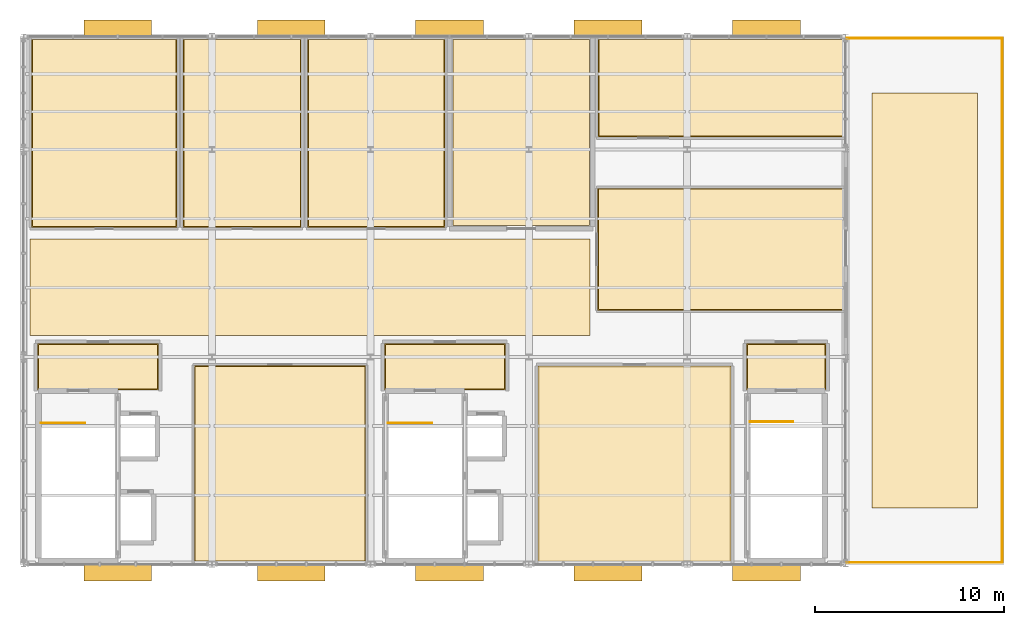
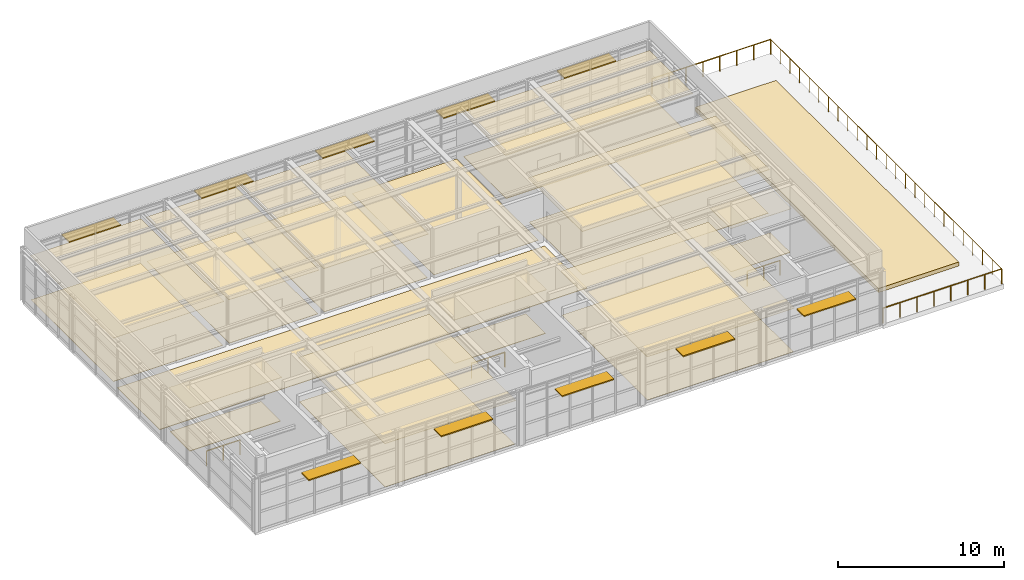
# One storey, part 18 of 18: 23 coverings, 10 shading devices, 6 railings.
"""IFC4 building model written with IfcOpenShell, lengths in metres."""

import ifcopenshell
import ifcopenshell.guid

model = None  # the IFC model being written
_history = None  # IfcOwnerHistory: only IFC2X3 demands one
_inside = {}  # id of a spatial element -> (the spatial element, [elements in it])
_under = {}  # id of a project, library or spatial element -> (it, [spatial elements below it])
_declared = {}  # id of a project -> (the project, [libraries it declares])
_typed = {}  # id of a type object -> (the type object, [elements of that type])
_made_of = {}  # id of a material, layer set ... -> (it, [elements and type objects made of it])


def new_model(schema):
    """Start an empty IFC model of exactly this schema.

    Asked for "IFC4X3", IfcOpenShell would pick the latest addendum, in which some entities
    have other attributes; the version numbers below select the first issue.
    IFC2X3 requires an IfcOwnerHistory on every rooted entity: one is made here for all.
    """
    global model, _history
    if schema == "IFC4X3":
        model = ifcopenshell.file(schema_version=(4, 3, 0, 0))
    else:
        model = ifcopenshell.file(schema=schema)
    _inside.clear()
    _under.clear()
    _declared.clear()
    _typed.clear()
    _made_of.clear()
    _history = None
    if model.schema == "IFC2X3":
        org = make("IfcOrganization", Name="unknown")
        user = make(
            "IfcPersonAndOrganization",
            ThePerson=make("IfcPerson", FamilyName="unknown"),
            TheOrganization=org,
        )
        app = make(
            "IfcApplication",
            ApplicationDeveloper=org,
            Version="unknown",
            ApplicationFullName="unknown",
            ApplicationIdentifier="unknown",
        )
        _history = make(
            "IfcOwnerHistory",
            OwningUser=user,
            OwningApplication=app,
            ChangeAction="ADDED",
            CreationDate=0,
        )
    return model


def make(cls, **values):
    """One entity of the class cls with the attributes given. An attribute that is None is left unset."""
    return model.create_entity(
        cls, **{name: value for name, value in values.items() if value is not None}
    )


def rooted(cls, **values):
    """An entity with a GlobalId (a new one), such as an element, a storey or a relation."""
    return make(cls, GlobalId=ifcopenshell.guid.new(), OwnerHistory=_history, **values)


def si_unit(unit_type, name, prefix=None):
    """IfcSIUnit, for example si_unit("LENGTHUNIT", "METRE", prefix="MILLI")."""
    return make("IfcSIUnit", UnitType=unit_type, Prefix=prefix, Name=name)


def assignment(units):
    """IfcUnitAssignment: the units of a project."""
    return None if units is None else make("IfcUnitAssignment", Units=units)


def point(xyz):
    """IfcCartesianPoint."""
    return None if xyz is None else make("IfcCartesianPoint", Coordinates=xyz)


def direction(xyz):
    """IfcDirection."""
    return None if xyz is None else make("IfcDirection", DirectionRatios=xyz)


def frame(location, z_axis=None, x_axis=None):
    """IfcAxis2Placement3D, a coordinate frame: its origin and axes. An axis left out is left unset."""
    return make(
        "IfcAxis2Placement3D",
        Location=point(location),
        Axis=direction(z_axis),
        RefDirection=direction(x_axis),
    )


def frame_2d(location, x_axis=None):
    """IfcAxis2Placement2D, a coordinate frame in the plane: its origin and x axis."""
    return make(
        "IfcAxis2Placement2D", Location=point(location), RefDirection=direction(x_axis)
    )


def origin():
    """The frame at (0, 0, 0) with its axes left unset."""
    return frame((0.0, 0.0, 0.0))


def origin_2d():
    """The frame at (0, 0) in the plane with its x axis left unset."""
    return frame_2d((0.0, 0.0))


def place(relative_to, where):
    """IfcLocalPlacement: puts the frame where relative to a parent placement (None: the world)."""
    return make(
        "IfcLocalPlacement", PlacementRelTo=relative_to, RelativePlacement=where
    )


def context(
    kind, dimensions, precision=None, world=None, true_north=None, identifier=None
):
    """IfcGeometricRepresentationContext, for example the 3D "Model" context."""
    return make(
        "IfcGeometricRepresentationContext",
        ContextIdentifier=identifier,
        ContextType=kind,
        CoordinateSpaceDimension=dimensions,
        Precision=precision,
        WorldCoordinateSystem=world,
        TrueNorth=true_north,
    )


def subcontext(parent, identifier, kind, view, scale=None):
    """IfcGeometricRepresentationSubContext, for example "Body" below "Model"."""
    return make(
        "IfcGeometricRepresentationSubContext",
        ContextIdentifier=identifier,
        ContextType=kind,
        ParentContext=parent,
        TargetScale=scale,
        TargetView=view,
    )


def project(units=None, contexts=None):
    """IfcProject with its units and contexts."""
    return rooted(
        "IfcProject",
        Name="project",
        RepresentationContexts=contexts,
        UnitsInContext=assignment(units),
    )


def spatial(cls, under=None, at=None, **own):
    """A site, building, storey or space (cls), placed at a placement, below another one or the project."""
    s = rooted(cls, ObjectPlacement=at, **own)
    if under is not None:
        _under.setdefault(under.id(), (under, []))[1].append(s)
    return s


def polyline(points):
    """IfcPolyline through the points."""
    return make("IfcPolyline", Points=[point(p) for p in points])


def profile(cls, at=None, kind="AREA", **sizes):
    """A parametric profile (cls). Its sizes go by their IFC names, for example OverallWidth=200.0."""
    return make(cls, ProfileType=kind, Position=at, **sizes)


def rectangle(**sizes):
    """IfcRectangleProfileDef."""
    return profile("IfcRectangleProfileDef", **sizes)


def circle(**sizes):
    """IfcCircleProfileDef."""
    return profile("IfcCircleProfileDef", **sizes)


def outline(outer, holes=None, kind="AREA"):
    """IfcArbitraryClosedProfileDef: a profile drawn as a closed curve; with holes, ...WithVoids."""
    if holes is None:
        return make("IfcArbitraryClosedProfileDef", ProfileType=kind, OuterCurve=outer)
    return make(
        "IfcArbitraryProfileDefWithVoids",
        ProfileType=kind,
        OuterCurve=outer,
        InnerCurves=holes,
    )


def extrude(swept, where, along, depth):
    """IfcExtrudedAreaSolid: the profile swept, set in the frame where, extruded along a direction by depth."""
    return make(
        "IfcExtrudedAreaSolid",
        SweptArea=swept,
        Position=where,
        ExtrudedDirection=direction(along),
        Depth=depth,
    )


def shape(context_of_items, identifier, shape_type, items):
    """IfcShapeRepresentation: the items that make up one representation, for example the "Body"."""
    return make(
        "IfcShapeRepresentation",
        ContextOfItems=context_of_items,
        RepresentationIdentifier=identifier,
        RepresentationType=shape_type,
        Items=items,
    )


def material(Name=None, Category=None):
    """IfcMaterial."""
    return make("IfcMaterial", Name=Name, Category=Category)


def layer(
    of_material, thickness, ventilated=None, Name=None, Category=None, Priority=None
):
    """IfcMaterialLayer: one layer of a wall or slab, of a material (None: an air gap)."""
    return make(
        "IfcMaterialLayer",
        Material=of_material,
        LayerThickness=thickness,
        IsVentilated=ventilated,
        Name=Name,
        Category=Category,
        Priority=Priority,
    )


def layer_set(layers, Name=None):
    """IfcMaterialLayerSet."""
    return make("IfcMaterialLayerSet", MaterialLayers=layers, LayerSetName=Name)


def made_of(thing, what):
    """Note that an element or type object is made of a material, layer set ...; save() writes the relation."""
    if what is not None:
        _made_of.setdefault(what.id(), (what, []))[1].append(thing)
    return thing


def type_object(cls, material=None, **own):
    """A type object (cls), such as IfcWallType, which elements share."""
    return made_of(rooted(cls, **own), material)


def element(
    cls,
    number,
    at=None,
    inside=None,
    cuts=None,
    type_object=None,
    material=None,
    context=None,
    identifier="Body",
    shape_type=None,
    held_by="IfcProductDefinitionShape",
    body=None,
    shapes=None,
    **own,
):
    """One element of the class cls, such as IfcWall. Its Tag is "e" and its number.

    at: its placement. inside: the storey or other place that contains it. cuts: it is an
    opening in that element (IfcRelVoidsElement). A single representation is given by context,
    identifier, shape_type and body (its items); several are given by shapes. held_by: the class
    of the entity that holds the representations. save() writes the other relations.
    """
    e = rooted(cls, Tag="e%d" % number, ObjectPlacement=at, **own)
    if body is not None:
        shapes = [shape(context, identifier, shape_type, body)]
    if shapes is not None:
        e.Representation = make(held_by, Representations=shapes)
    if inside is not None:
        _inside.setdefault(inside.id(), (inside, []))[1].append(e)
    if cuts is not None:
        rooted(
            "IfcRelVoidsElement", RelatingBuildingElement=cuts, RelatedOpeningElement=e
        )
    if type_object is not None:
        _typed.setdefault(type_object.id(), (type_object, []))[1].append(e)
    return made_of(e, material)


def aggregate(whole, parts):
    """IfcRelAggregates: a whole, such as a stair, and the parts it consists of."""
    return rooted("IfcRelAggregates", RelatingObject=whole, RelatedObjects=parts)


def save(model, path):
    """Write the relations noted so far, then the file.

    IfcRelAggregates (storeys below a building ...), IfcRelContainedInSpatialStructure (elements
    in a storey), IfcRelDefinesByType, IfcRelAssociatesMaterial and IfcRelDeclares: one each for
    every whole, place, type object, material and project.
    """
    for whole, parts in _under.values():
        aggregate(whole, parts)
    for where, things in _inside.values():
        rooted(
            "IfcRelContainedInSpatialStructure",
            RelatedElements=things,
            RelatingStructure=where,
        )
    for kind, things in _typed.values():
        rooted("IfcRelDefinesByType", RelatedObjects=things, RelatingType=kind)
    for what, things in _made_of.values():
        rooted("IfcRelAssociatesMaterial", RelatedObjects=things, RelatingMaterial=what)
    for by, libraries in _declared.values():
        rooted("IfcRelDeclares", RelatingContext=by, RelatedDefinitions=libraries)
    model.write(path)


model = new_model("IFC4")

# Units and contexts
model_context = context("Model", 3, precision=1e-05, world=origin(), true_north=direction((0.0, 1.0)))
body_context = subcontext(model_context, "Body", "Model", "MODEL_VIEW")
ifc_project = project(units=[si_unit("LENGTHUNIT", "METRE"), si_unit("AREAUNIT", "SQUARE_METRE"), si_unit("VOLUMEUNIT", "CUBIC_METRE"), si_unit("PLANEANGLEUNIT", "RADIAN"), si_unit("MASSUNIT", "GRAM", prefix="KILO")], contexts=[model_context])

# Site, building, storey
site_placement = place(None, origin())
site = spatial("IfcSite", under=ifc_project, at=site_placement, CompositionType="ELEMENT")
building_placement = place(site_placement, origin())
building = spatial("IfcBuilding", under=site, at=building_placement, Name="Sitalva Quay Ferry Terminal", CompositionType="ELEMENT")
storey_placement = place(building_placement, frame((0.0, 0.0, 18.60009765625)))
storey = spatial("IfcBuildingStorey", under=building, at=storey_placement, Name="L05", CompositionType="ELEMENT", Elevation=18.60009765625)

# Coverings
ifc_material_1 = material(Name="Perforated Marine Aluminium Acoustic Ceiling", Category="aluminium")
ifc_layer_1 = layer(ifc_material_1, 0.0400390625)
ifc_layer_set_1 = layer_set([ifc_layer_1], Name="Perforated Marine Aluminium Acoustic Ceiling")
covering_type_1 = type_object("IfcCoveringType", Name="Ceiling_AcousticBaffle_40", PredefinedType="CEILING", material=ifc_layer_set_1)
covering_1_placement = place(storey_placement, frame((0.0, 0.0, 3.2099609375)))
element("IfcCovering", 1, at=covering_1_placement, inside=storey, type_object=covering_type_1, Name="360-Degree Vessel Traffic Services Control Bridge ceiling", PredefinedType="CEILING", context=body_context, shape_type="SweptSolid", body=[
    extrude(outline(polyline([(83.050048828125, 78.1201171875), (92.14990234375, 78.1201171875), (92.14990234375, 88.550048828125), (83.050048828125, 88.550048828125), (83.050048828125, 78.1201171875)])), origin(), (0.0, 0.0, 1.0), 0.0400390625),
])
covering_2_placement = place(storey_placement, frame((0.0, 0.0, 3.2099609375)))
element("IfcCovering", 2, at=covering_2_placement, inside=storey, type_object=covering_type_1, Name="Harbour Master Suite & Incident Command ceiling", PredefinedType="CEILING", context=body_context, shape_type="SweptSolid", body=[
    extrude(outline(polyline([(101.282470703125, 78.1201171875), (111.517578125, 78.1201171875), (111.517578125, 88.517578125), (101.282470703125, 88.517578125), (101.282470703125, 78.1201171875)])), origin(), (0.0, 0.0, 1.0), 0.0400390625),
])
covering_3_placement = place(storey_placement, frame((0.0, 0.0, 3.2099609375)))
element("IfcCovering", 3, at=covering_3_placement, inside=storey, type_object=covering_type_1, Name="Lookout Terrace Cafe Lounge ceiling", PredefinedType="CEILING", context=body_context, shape_type="SweptSolid", body=[
    extrude(outline(polyline([(104.455078125, 91.455078125), (117.47998046875, 91.455078125), (117.47998046875, 97.945068359375), (104.455078125, 97.945068359375), (104.455078125, 91.455078125)])), origin(), (0.0, 0.0, 1.0), 0.0400390625),
])
covering_4_placement = place(storey_placement, frame((0.0, 0.0, 3.2099609375)))
element("IfcCovering", 4, at=covering_4_placement, inside=storey, type_object=covering_type_1, Name="Bridge Galley & Chart Store ceiling", PredefinedType="CEILING", context=body_context, shape_type="SweptSolid", body=[
    extrude(outline(polyline([(89.0576171875, 95.857421875), (96.342529296875, 95.857421875), (96.342529296875, 105.8798828125), (89.0576171875, 105.8798828125), (89.0576171875, 95.857421875)])), origin(), (0.0, 0.0, 1.0), 0.0400390625),
])
covering_5_placement = place(storey_placement, frame((0.0, 0.0, 3.2099609375)))
element("IfcCovering", 5, at=covering_5_placement, inside=storey, type_object=covering_type_1, Name="North Harbour Observation Deck Room ceiling", PredefinedType="CEILING", context=body_context, shape_type="SweptSolid", body=[
    extrude(outline(polyline([(104.47509765625, 100.675048828125), (117.47998046875, 100.675048828125), (117.47998046875, 105.8798828125), (104.47509765625, 105.8798828125), (104.47509765625, 100.675048828125)])), origin(), (0.0, 0.0, 1.0), 0.0400390625),
])
ifc_material_2 = material(Name="Moisture-Resistant Acoustic Gypsum Ceiling", Category="gypsum")
ifc_layer_2 = layer(ifc_material_2, 0.02490234375)
ifc_layer_set_2 = layer_set([ifc_layer_2], Name="Moisture-Resistant Acoustic Gypsum Ceiling")
covering_type_2 = type_object("IfcCoveringType", Name="Ceiling_GypsumMoisture_25", PredefinedType="CEILING", material=ifc_layer_set_2)
covering_6_placement = place(storey_placement, frame((0.0, 0.0, 3.224853515625)))
element("IfcCovering", 6, at=covering_6_placement, inside=storey, type_object=covering_type_2, Name="Firefighting & Lift Lobby C1 ceiling", PredefinedType="CEILING", context=body_context, shape_type="SweptSolid", body=[
    extrude(outline(polyline([(74.739990234375, 87.239990234375), (81.159912109375, 87.239990234375), (81.159912109375, 89.7099609375), (74.739990234375, 89.7099609375), (74.739990234375, 87.239990234375)])), origin(), (0.0, 0.0, 1.0), 0.025146484375),
])
covering_7_placement = place(storey_placement, frame((0.0, 0.0, 3.224853515625)))
element("IfcCovering", 7, at=covering_7_placement, inside=storey, type_object=covering_type_2, Name="Firefighting & Lift Lobby C2 ceiling", PredefinedType="CEILING", context=body_context, shape_type="SweptSolid", body=[
    extrude(outline(polyline([(93.139892578125, 87.239990234375), (99.56005859375, 87.239990234375), (99.56005859375, 89.7099609375), (93.139892578125, 89.7099609375), (93.139892578125, 87.239990234375)])), origin(), (0.0, 0.0, 1.0), 0.025146484375),
])
covering_8_placement = place(storey_placement, frame((0.0, 0.0, 3.224853515625)))
element("IfcCovering", 8, at=covering_8_placement, inside=storey, type_object=covering_type_2, Name="Firefighting & Lift Lobby C4 ceiling", PredefinedType="CEILING", context=body_context, shape_type="SweptSolid", body=[
    extrude(outline(polyline([(112.340087890625, 87.239990234375), (116.56005859375, 87.239990234375), (116.56005859375, 89.7099609375), (112.340087890625, 89.7099609375), (112.340087890625, 87.239990234375)])), origin(), (0.0, 0.0, 1.0), 0.025146484375),
])
covering_9_placement = place(storey_placement, frame((0.0, 0.0, 3.224853515625)))
element("IfcCovering", 9, at=covering_9_placement, inside=storey, type_object=covering_type_2, Name="VTS Bridge Staff Toilets ceiling", PredefinedType="CEILING", context=body_context, shape_type="SweptSolid", body=[
    extrude(outline(polyline([(74.419921875, 95.8701171875), (82.1298828125, 95.8701171875), (82.1298828125, 105.8798828125), (74.419921875, 105.8798828125), (74.419921875, 95.8701171875)])), origin(), (0.0, 0.0, 1.0), 0.025146484375),
])
covering_10_placement = place(storey_placement, frame((0.0, 0.0, 3.224853515625)))
element("IfcCovering", 10, at=covering_10_placement, inside=storey, type_object=covering_type_2, Name="VTS Bridge Accessible WC ceiling", PredefinedType="CEILING", context=body_context, shape_type="SweptSolid", body=[
    extrude(outline(polyline([(82.469970703125, 95.8701171875), (88.72998046875, 95.8701171875), (88.72998046875, 105.8798828125), (82.469970703125, 105.8798828125), (82.469970703125, 95.8701171875)])), origin(), (0.0, 0.0, 1.0), 0.025146484375),
])
ifc_material_3 = material(Name="Planted Roof Garden Soil & Native Monsoon Flora", Category="earth")
ifc_layer_3 = layer(ifc_material_3, 0.300048828125)
ifc_layer_set_3 = layer_set([ifc_layer_3], Name="Planted Roof Garden Soil & Native Monsoon Flora")
covering_type_3 = type_object("IfcCoveringType", Name="Covering_PlantedParterre_300", PredefinedType="FLOORING", material=ifc_layer_set_3)
covering_11_placement = place(storey_placement, origin())
element("IfcCovering", 11, at=covering_11_placement, inside=storey, type_object=covering_type_3, Name="Planted terrace garden bed 17", PredefinedType="FLOORING", context=body_context, shape_type="SweptSolid", body=[
    extrude(outline(polyline([(119.0, 81.0), (124.60009765625, 81.0), (124.60009765625, 103.0), (119.0, 103.0), (119.0, 81.0)])), origin(), (0.0, 0.0, 1.0), 0.2998046875),
])
ifc_material_4 = material(Name="Heavy-Duty Acoustic Resilient Flooring", Category="polymer")
ifc_layer_4 = layer(ifc_material_4, 0.014892578125)
ifc_layer_set_4 = layer_set([ifc_layer_4], Name="Heavy-Duty Acoustic Resilient Flooring")
covering_type_4 = type_object("IfcCoveringType", Name="Finish_AcousticVinyl_15", PredefinedType="FLOORING", material=ifc_layer_set_4)
covering_12_placement = place(storey_placement, origin())
element("IfcCovering", 12, at=covering_12_placement, inside=storey, type_object=covering_type_4, Name="360-Degree Vessel Traffic Services Control Bridge floor finish", PredefinedType="FLOORING", context=body_context, shape_type="SweptSolid", body=[
    extrude(outline(polyline([(83.10009765625, 78.169921875), (92.10009765625, 78.169921875), (92.10009765625, 88.5), (83.10009765625, 88.5), (83.10009765625, 78.169921875)])), origin(), (0.0, 0.0, 1.0), 0.014892578125),
])
covering_13_placement = place(storey_placement, origin())
element("IfcCovering", 13, at=covering_13_placement, inside=storey, type_object=covering_type_4, Name="Harbour Master Suite & Incident Command floor finish", PredefinedType="FLOORING", context=body_context, shape_type="SweptSolid", body=[
    extrude(outline(polyline([(101.33251953125, 78.169921875), (111.467529296875, 78.169921875), (111.467529296875, 88.467529296875), (101.33251953125, 88.467529296875), (101.33251953125, 78.169921875)])), origin(), (0.0, 0.0, 1.0), 0.014892578125),
])
ifc_material_5 = material(Name="Anti-Slip Porcelain Tile", Category="ceramic")
ifc_layer_5 = layer(ifc_material_5, 0.02001953125)
ifc_layer_set_5 = layer_set([ifc_layer_5], Name="Anti-Slip Porcelain Tile")
covering_type_5 = type_object("IfcCoveringType", Name="Finish_CeramicWet_20", PredefinedType="FLOORING", material=ifc_layer_set_5)
covering_14_placement = place(storey_placement, origin())
element("IfcCovering", 14, at=covering_14_placement, inside=storey, type_object=covering_type_5, Name="VTS Bridge Staff Toilets floor finish", PredefinedType="FLOORING", context=body_context, shape_type="SweptSolid", body=[
    extrude(outline(polyline([(74.469970703125, 95.919921875), (82.080078125, 95.919921875), (82.080078125, 105.830078125), (74.469970703125, 105.830078125), (74.469970703125, 95.919921875)])), origin(), (0.0, 0.0, 1.0), 0.02001953125),
])
covering_15_placement = place(storey_placement, origin())
element("IfcCovering", 15, at=covering_15_placement, inside=storey, type_object=covering_type_5, Name="VTS Bridge Accessible WC floor finish", PredefinedType="FLOORING", context=body_context, shape_type="SweptSolid", body=[
    extrude(outline(polyline([(82.52001953125, 95.919921875), (88.679931640625, 95.919921875), (88.679931640625, 105.830078125), (82.52001953125, 105.830078125), (82.52001953125, 95.919921875)])), origin(), (0.0, 0.0, 1.0), 0.02001953125),
])
covering_16_placement = place(storey_placement, origin())
element("IfcCovering", 16, at=covering_16_placement, inside=storey, type_object=covering_type_5, Name="Bridge Galley & Chart Store floor finish", PredefinedType="FLOORING", context=body_context, shape_type="SweptSolid", body=[
    extrude(outline(polyline([(89.107421875, 95.907470703125), (96.29248046875, 95.907470703125), (96.29248046875, 105.830078125), (89.107421875, 105.830078125), (89.107421875, 95.907470703125)])), origin(), (0.0, 0.0, 1.0), 0.02001953125),
])
ifc_material_6 = material(Name="Chemical-Resistant Epoxy Screed", Category="polymer")
ifc_layer_6 = layer(ifc_material_6, 0.011962890625)
ifc_layer_set_6 = layer_set([ifc_layer_6], Name="Chemical-Resistant Epoxy Screed")
covering_type_6 = type_object("IfcCoveringType", Name="Finish_EpoxyPlant_12", PredefinedType="FLOORING", material=ifc_layer_set_6)
covering_17_placement = place(storey_placement, origin())
element("IfcCovering", 17, at=covering_17_placement, inside=storey, type_object=covering_type_6, Name="Bridge BMS, PA & Emergency Radio Plant floor finish", PredefinedType="FLOORING", context=body_context, shape_type="SweptSolid", body=[
    extrude(outline(polyline([(96.77001953125, 95.969970703125), (104.030029296875, 95.969970703125), (104.030029296875, 105.830078125), (96.77001953125, 105.830078125), (96.77001953125, 95.969970703125)])), origin(), (0.0, 0.0, 1.0), 0.011962890625),
])
ifc_material_7 = material(Name="Flamed Non-Slip Granite Paving", Category="masonry")
ifc_layer_7 = layer(ifc_material_7, 0.034912109375)
ifc_layer_set_7 = layer_set([ifc_layer_7], Name="Flamed Non-Slip Granite Paving")
covering_type_7 = type_object("IfcCoveringType", Name="Finish_Granite_35", PredefinedType="FLOORING", material=ifc_layer_set_7)
covering_18_placement = place(storey_placement, origin())
element("IfcCovering", 18, at=covering_18_placement, inside=storey, type_object=covering_type_7, Name="Firefighting & Lift Lobby C1 floor finish", PredefinedType="FLOORING", context=body_context, shape_type="SweptSolid", body=[
    extrude(outline(polyline([(74.7900390625, 87.2900390625), (81.110107421875, 87.2900390625), (81.110107421875, 89.659912109375), (74.7900390625, 89.659912109375), (74.7900390625, 87.2900390625)])), origin(), (0.0, 0.0, 1.0), 0.034912109375),
])
covering_19_placement = place(storey_placement, origin())
element("IfcCovering", 19, at=covering_19_placement, inside=storey, type_object=covering_type_7, Name="Firefighting & Lift Lobby C2 floor finish", PredefinedType="FLOORING", context=body_context, shape_type="SweptSolid", body=[
    extrude(outline(polyline([(93.18994140625, 87.2900390625), (99.510009765625, 87.2900390625), (99.510009765625, 89.659912109375), (93.18994140625, 89.659912109375), (93.18994140625, 87.2900390625)])), origin(), (0.0, 0.0, 1.0), 0.034912109375),
])
covering_20_placement = place(storey_placement, origin())
element("IfcCovering", 20, at=covering_20_placement, inside=storey, type_object=covering_type_7, Name="Firefighting & Lift Lobby C4 floor finish", PredefinedType="FLOORING", context=body_context, shape_type="SweptSolid", body=[
    extrude(outline(polyline([(112.389892578125, 87.2900390625), (116.510009765625, 87.2900390625), (116.510009765625, 89.659912109375), (112.389892578125, 89.659912109375), (112.389892578125, 87.2900390625)])), origin(), (0.0, 0.0, 1.0), 0.034912109375),
])
covering_21_placement = place(storey_placement, origin())
element("IfcCovering", 21, at=covering_21_placement, inside=storey, type_object=covering_type_7, Name="VTS Control Bridge Gallery flooring", PredefinedType="FLOORING", context=body_context, shape_type="SweptSolid", body=[
    extrude(outline(polyline([(74.35009765625, 90.14990234375), (104.050048828125, 90.14990234375), (104.050048828125, 95.25), (74.35009765625, 95.25), (74.35009765625, 90.14990234375)])), origin(), (0.0, 0.0, 1.0), 0.034912109375),
])
ifc_material_8 = material(Name="Polished River-Stone Terrazzo", Category="masonry")
ifc_layer_8 = layer(ifc_material_8, 0.030029296875)
ifc_layer_set_8 = layer_set([ifc_layer_8], Name="Polished River-Stone Terrazzo")
covering_type_8 = type_object("IfcCoveringType", Name="Finish_Terrazzo_30", PredefinedType="FLOORING", material=ifc_layer_set_8)
covering_22_placement = place(storey_placement, origin())
element("IfcCovering", 22, at=covering_22_placement, inside=storey, type_object=covering_type_8, Name="Lookout Terrace Cafe Lounge floor finish", PredefinedType="FLOORING", context=body_context, shape_type="SweptSolid", body=[
    extrude(outline(polyline([(104.5048828125, 91.5048828125), (117.429931640625, 91.5048828125), (117.429931640625, 97.89501953125), (104.5048828125, 97.89501953125), (104.5048828125, 91.5048828125)])), origin(), (0.0, 0.0, 1.0), 0.02978515625),
])
covering_23_placement = place(storey_placement, origin())
element("IfcCovering", 23, at=covering_23_placement, inside=storey, type_object=covering_type_8, Name="North Harbour Observation Deck Room floor finish", PredefinedType="FLOORING", context=body_context, shape_type="SweptSolid", body=[
    extrude(outline(polyline([(104.52490234375, 100.72509765625), (117.429931640625, 100.72509765625), (117.429931640625, 105.830078125), (104.52490234375, 105.830078125), (104.52490234375, 100.72509765625)])), origin(), (0.0, 0.0, 1.0), 0.02978515625),
])

# Railings
ifc_material_9 = material(Name="Stainless Steel 316L & Laminated Glass", Category="steel")
railing_type_1 = type_object("IfcRailingType", Name="Railing_Balustrade_1120", PredefinedType="BALUSTRADE", material=ifc_material_9)
railing_1_placement = place(storey_placement, frame((117.64990234375, 78.10009765625, 0.0)))
element("IfcRailing", 24, at=railing_1_placement, inside=storey, type_object=railing_type_1, Name="L05 L05 east lookout terrace balustrade 045", PredefinedType="BALUSTRADE", context=body_context, shape_type="SweptSolid", body=[
    extrude(circle(Radius=0.02392578125, at=origin_2d()), frame((0.0, 0.0, 1.09619140625), z_axis=(1.0, 0.0, 0.0), x_axis=(0.0, 1.0, 0.0)), (0.0, 0.0, 1.0), 8.25),
    extrude(circle(Radius=0.02099609375, at=origin_2d()), origin(), (0.0, 0.0, 1.0), 1.072021484375),
    extrude(circle(Radius=0.02099609375, at=origin_2d()), frame((1.178466796875, 0.0, 0.0)), (0.0, 0.0, 1.0), 1.072021484375),
    extrude(circle(Radius=0.02099609375, at=origin_2d()), frame((2.357177734375, 0.0, 0.0)), (0.0, 0.0, 1.0), 1.072021484375),
    extrude(circle(Radius=0.02099609375, at=origin_2d()), frame((3.53564453125, 0.0, 0.0)), (0.0, 0.0, 1.0), 1.072021484375),
    extrude(circle(Radius=0.02099609375, at=origin_2d()), frame((4.71435546875, 0.0, 0.0)), (0.0, 0.0, 1.0), 1.072021484375),
    extrude(circle(Radius=0.02099609375, at=origin_2d()), frame((5.892822265625, 0.0, 0.0)), (0.0, 0.0, 1.0), 1.072021484375),
    extrude(circle(Radius=0.02099609375, at=origin_2d()), frame((7.071533203125, 0.0, 0.0)), (0.0, 0.0, 1.0), 1.072021484375),
    extrude(circle(Radius=0.02099609375, at=origin_2d()), frame((8.25, 0.0, 0.0)), (0.0, 0.0, 1.0), 1.072021484375),
])
railing_2_placement = place(storey_placement, frame((125.89990234375, 78.10009765625, 0.0)))
element("IfcRailing", 25, at=railing_2_placement, inside=storey, type_object=railing_type_1, Name="L05 L05 east lookout terrace balustrade 046", PredefinedType="BALUSTRADE", context=body_context, shape_type="SweptSolid", body=[
    extrude(circle(Radius=0.02392578125, at=origin_2d()), frame((0.0, 0.0, 1.09619140625), z_axis=(0.0, 1.0, 0.0), x_axis=(-1.0, 0.0, 0.0)), (0.0, 0.0, 1.0), 27.7998046875),
    extrude(circle(Radius=0.02099609375, at=origin_2d()), origin(), (0.0, 0.0, 1.0), 1.072021484375),
    extrude(circle(Radius=0.02099609375, at=origin_2d()), frame((0.0, 1.158203125, 0.0)), (0.0, 0.0, 1.0), 1.072021484375),
    extrude(circle(Radius=0.02099609375, at=origin_2d()), frame((0.0, 2.316650390625, 0.0)), (0.0, 0.0, 1.0), 1.072021484375),
    extrude(circle(Radius=0.02099609375, at=origin_2d()), frame((0.0, 3.47509765625, 0.0)), (0.0, 0.0, 1.0), 1.072021484375),
    extrude(circle(Radius=0.02099609375, at=origin_2d()), frame((0.0, 4.63330078125, 0.0)), (0.0, 0.0, 1.0), 1.072021484375),
    extrude(circle(Radius=0.02099609375, at=origin_2d()), frame((0.0, 5.79150390625, 0.0)), (0.0, 0.0, 1.0), 1.072021484375),
    extrude(circle(Radius=0.02099609375, at=origin_2d()), frame((0.0, 6.949951171875, 0.0)), (0.0, 0.0, 1.0), 1.072021484375),
    extrude(circle(Radius=0.02099609375, at=origin_2d()), frame((0.0, 8.1083984375, 0.0)), (0.0, 0.0, 1.0), 1.072021484375),
    extrude(circle(Radius=0.02099609375, at=origin_2d()), frame((0.0, 9.2666015625, 0.0)), (0.0, 0.0, 1.0), 1.072021484375),
    extrude(circle(Radius=0.02099609375, at=origin_2d()), frame((0.0, 10.4248046875, 0.0)), (0.0, 0.0, 1.0), 1.072021484375),
    extrude(circle(Radius=0.02099609375, at=origin_2d()), frame((0.0, 11.583251953125, 0.0)), (0.0, 0.0, 1.0), 1.072021484375),
    extrude(circle(Radius=0.02099609375, at=origin_2d()), frame((0.0, 12.74169921875, 0.0)), (0.0, 0.0, 1.0), 1.072021484375),
    extrude(circle(Radius=0.02099609375, at=origin_2d()), frame((0.0, 13.89990234375, 0.0)), (0.0, 0.0, 1.0), 1.072021484375),
    extrude(circle(Radius=0.02099609375, at=origin_2d()), frame((0.0, 15.05810546875, 0.0)), (0.0, 0.0, 1.0), 1.072021484375),
    extrude(circle(Radius=0.02099609375, at=origin_2d()), frame((0.0, 16.216552734375, 0.0)), (0.0, 0.0, 1.0), 1.072021484375),
    extrude(circle(Radius=0.02099609375, at=origin_2d()), frame((0.0, 17.375, 0.0)), (0.0, 0.0, 1.0), 1.072021484375),
    extrude(circle(Radius=0.02099609375, at=origin_2d()), frame((0.0, 18.533203125, 0.0)), (0.0, 0.0, 1.0), 1.072021484375),
    extrude(circle(Radius=0.02099609375, at=origin_2d()), frame((0.0, 19.69140625, 0.0)), (0.0, 0.0, 1.0), 1.072021484375),
    extrude(circle(Radius=0.02099609375, at=origin_2d()), frame((0.0, 20.849853515625, 0.0)), (0.0, 0.0, 1.0), 1.072021484375),
    extrude(circle(Radius=0.02099609375, at=origin_2d()), frame((0.0, 22.00830078125, 0.0)), (0.0, 0.0, 1.0), 1.072021484375),
    extrude(circle(Radius=0.02099609375, at=origin_2d()), frame((0.0, 23.16650390625, 0.0)), (0.0, 0.0, 1.0), 1.072021484375),
    extrude(circle(Radius=0.02099609375, at=origin_2d()), frame((0.0, 24.32470703125, 0.0)), (0.0, 0.0, 1.0), 1.072021484375),
    extrude(circle(Radius=0.02099609375, at=origin_2d()), frame((0.0, 25.483154296875, 0.0)), (0.0, 0.0, 1.0), 1.072021484375),
    extrude(circle(Radius=0.02099609375, at=origin_2d()), frame((0.0, 26.6416015625, 0.0)), (0.0, 0.0, 1.0), 1.072021484375),
    extrude(circle(Radius=0.02099609375, at=origin_2d()), frame((0.0, 27.7998046875, 0.0)), (0.0, 0.0, 1.0), 1.072021484375),
])
railing_3_placement = place(storey_placement, frame((125.89990234375, 105.89990234375, 0.0)))
element("IfcRailing", 26, at=railing_3_placement, inside=storey, type_object=railing_type_1, Name="L05 L05 east lookout terrace balustrade 047", PredefinedType="BALUSTRADE", context=body_context, shape_type="SweptSolid", body=[
    extrude(circle(Radius=0.02392578125, at=origin_2d()), frame((0.0, 0.0, 1.09619140625), z_axis=(-1.0, 0.0, 0.0), x_axis=(0.0, -1.0, 0.0)), (0.0, 0.0, 1.0), 8.25),
    extrude(circle(Radius=0.02099609375, at=origin_2d()), origin(), (0.0, 0.0, 1.0), 1.072021484375),
    extrude(circle(Radius=0.02099609375, at=origin_2d()), frame((-1.178466796875, 0.0, 0.0)), (0.0, 0.0, 1.0), 1.072021484375),
    extrude(circle(Radius=0.02099609375, at=origin_2d()), frame((-2.357177734375, 0.0, 0.0)), (0.0, 0.0, 1.0), 1.072021484375),
    extrude(circle(Radius=0.02099609375, at=origin_2d()), frame((-3.53564453125, 0.0, 0.0)), (0.0, 0.0, 1.0), 1.072021484375),
    extrude(circle(Radius=0.02099609375, at=origin_2d()), frame((-4.71435546875, 0.0, 0.0)), (0.0, 0.0, 1.0), 1.072021484375),
    extrude(circle(Radius=0.02099609375, at=origin_2d()), frame((-5.892822265625, 0.0, 0.0)), (0.0, 0.0, 1.0), 1.072021484375),
    extrude(circle(Radius=0.02099609375, at=origin_2d()), frame((-7.071533203125, 0.0, 0.0)), (0.0, 0.0, 1.0), 1.072021484375),
    extrude(circle(Radius=0.02099609375, at=origin_2d()), frame((-8.25, 0.0, 0.0)), (0.0, 0.0, 1.0), 1.072021484375),
])
ifc_material_10 = material(Name="Galvanised Steel S275JR", Category="steel")
railing_type_2 = type_object("IfcRailingType", Name="Railing_Guard_1100", PredefinedType="GUARDRAIL", material=ifc_material_10)
railing_4_placement = place(storey_placement, frame((74.929931640625, 85.5, 0.0)))
element("IfcRailing", 27, at=railing_4_placement, inside=storey, type_object=railing_type_2, Name="L05 ST-01 top well guard 1", PredefinedType="GUARDRAIL", context=body_context, shape_type="SweptSolid", body=[
    extrude(circle(Radius=0.02392578125, at=origin_2d()), frame((0.0, 0.0, 1.076171875), z_axis=(1.0, 0.0, 0.0), x_axis=(0.0, 1.0, 0.0)), (0.0, 0.0, 1.0), 2.320068359375),
    extrude(circle(Radius=0.02099609375, at=origin_2d()), origin(), (0.0, 0.0, 1.0), 1.052001953125),
    extrude(circle(Radius=0.02099609375, at=origin_2d()), frame((1.16015625, 0.0, 0.0)), (0.0, 0.0, 1.0), 1.052001953125),
    extrude(circle(Radius=0.02099609375, at=origin_2d()), frame((2.320068359375, 0.0, 0.0)), (0.0, 0.0, 1.0), 1.052001953125),
])
railing_5_placement = place(storey_placement, frame((93.330078125, 85.5, 0.0)))
element("IfcRailing", 28, at=railing_5_placement, inside=storey, type_object=railing_type_2, Name="L05 ST-02 top well guard 1", PredefinedType="GUARDRAIL", context=body_context, shape_type="SweptSolid", body=[
    extrude(circle(Radius=0.02392578125, at=origin_2d()), frame((0.0, 0.0, 1.076171875), z_axis=(1.0, 0.0, 0.0), x_axis=(0.0, 1.0, 0.0)), (0.0, 0.0, 1.0), 2.31982421875),
    extrude(circle(Radius=0.02099609375, at=origin_2d()), origin(), (0.0, 0.0, 1.0), 1.052001953125),
    extrude(circle(Radius=0.02099609375, at=origin_2d()), frame((1.159912109375, 0.0, 0.0)), (0.0, 0.0, 1.0), 1.052001953125),
    extrude(circle(Radius=0.02099609375, at=origin_2d()), frame((2.31982421875, 0.0, 0.0)), (0.0, 0.0, 1.0), 1.052001953125),
])
railing_6_placement = place(storey_placement, frame((112.530029296875, 85.56005859375, 0.0)))
element("IfcRailing", 29, at=railing_6_placement, inside=storey, type_object=railing_type_2, Name="L05 ST-04 top well guard 1", PredefinedType="GUARDRAIL", context=body_context, shape_type="SweptSolid", body=[
    extrude(circle(Radius=0.02392578125, at=origin_2d()), frame((0.0, 0.0, 1.076171875), z_axis=(1.0, 0.0, 0.0), x_axis=(0.0, 1.0, 0.0)), (0.0, 0.0, 1.0), 2.280029296875),
    extrude(circle(Radius=0.02099609375, at=origin_2d()), origin(), (0.0, 0.0, 1.0), 1.052001953125),
    extrude(circle(Radius=0.02099609375, at=origin_2d()), frame((1.14013671875, 0.0, 0.0)), (0.0, 0.0, 1.0), 1.052001953125),
    extrude(circle(Radius=0.02099609375, at=origin_2d()), frame((2.280029296875, 0.0, 0.0)), (0.0, 0.0, 1.0), 1.052001953125),
])

# Shading devices
ifc_material_11 = material(Name="Anodised Marine Aluminium 6063-T6", Category="aluminium")
shading_device_type = type_object("IfcShadingDeviceType", Name="Shade_HorizontalLouvre_900", PredefinedType="USERDEFINED", material=ifc_material_11)
for number, where, z_axis, x_axis, name in (
    (30, (79.0, 77.580078125, 3.157470703125), (0.0, 0.0, 1.0), (1.0, 0.0, 0.0), "Monsoon sunshade canopy BS-118"),
    (31, (79.0, 106.419921875, 3.157470703125), (0.0, 0.0, 1.0), (1.0, 0.0, 0.0), "Monsoon sunshade canopy BS-119"),
    (32, (88.199951171875, 77.580078125, 3.157470703125), (0.0, 0.0, 1.0), (1.0, 0.0, 0.0), "Monsoon sunshade canopy BS-120"),
    (33, (88.199951171875, 106.419921875, 3.157470703125), (0.0, 0.0, 1.0), (1.0, 0.0, 0.0), "Monsoon sunshade canopy BS-121"),
    (34, (96.60009765625, 77.580078125, 3.157470703125), (0.0, 0.0, 1.0), (1.0, 0.0, 0.0), "Monsoon sunshade canopy BS-122"),
    (35, (96.60009765625, 106.419921875, 3.157470703125), (0.0, 0.0, 1.0), (1.0, 0.0, 0.0), "Monsoon sunshade canopy BS-123"),
    (36, (105.0, 77.580078125, 3.157470703125), (0.0, 0.0, 1.0), (1.0, 0.0, 0.0), "Monsoon sunshade canopy BS-124"),
    (37, (105.0, 106.419921875, 3.157470703125), (0.0, 0.0, 1.0), (1.0, 0.0, 0.0), "Monsoon sunshade canopy BS-125"),
    (38, (113.39990234375, 77.580078125, 3.157470703125), (0.0, 0.0, 1.0), (1.0, 0.0, 0.0), "Monsoon sunshade canopy BS-126"),
    (39, (113.39990234375, 106.419921875, 3.157470703125), (0.0, 0.0, 1.0), (1.0, 0.0, 0.0), "Monsoon sunshade canopy BS-127"),
):
    element("IfcShadingDevice", number, at=place(storey_placement, frame(where, z_axis=z_axis, x_axis=x_axis)), inside=storey, type_object=shading_device_type, Name=name, ObjectType="SUNSHADE", PredefinedType="USERDEFINED", context=body_context, shape_type="SweptSolid", body=[
        extrude(rectangle(XDim=3.60009765625, YDim=0.89990234375, at=origin_2d()), origin(), (0.0, 0.0, 1.0), 0.0849609375),
    ])

save(model, "model.ifc")
